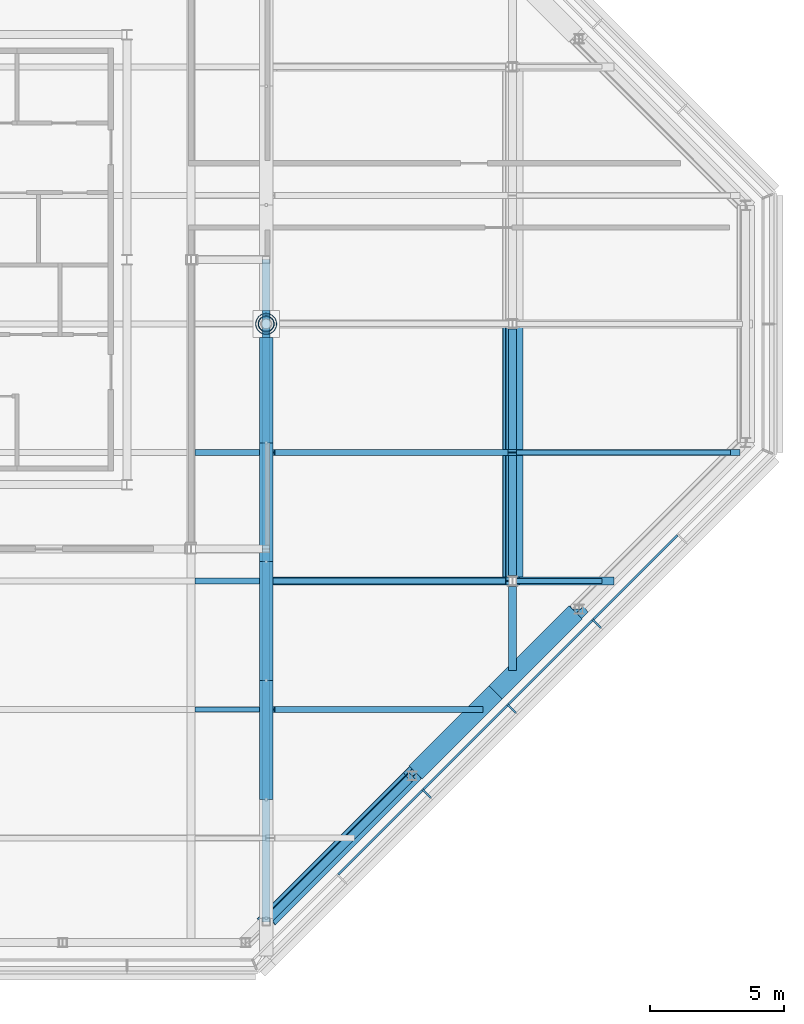
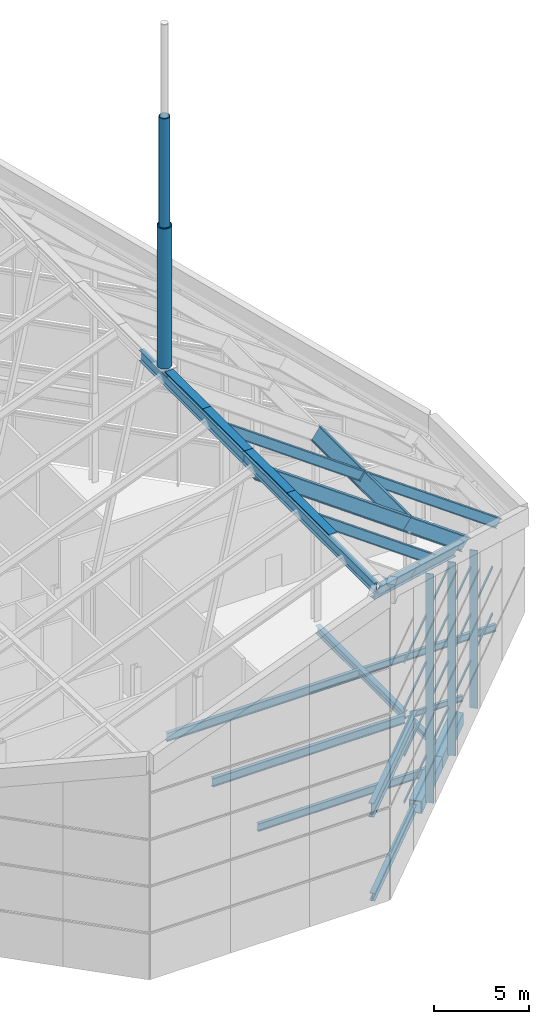
# One storey, part 6 of 21: 23 members, 21 beams, 1 element without a shape of its own.
"""IFC4 building model written with IfcOpenShell, lengths in metres."""

from ifc_helpers import new_model, si_unit, direction, frame, origin, origin_2d, place, context, subcontext, project, spatial, rectangle, hollow_rectangle, hollow_circle, i_section, extrude, material, material_profile, profile_set, type_object, element, aggregate, save


model = new_model("IFC4")

# Units and contexts
model_context = context("Model", 3, precision=1e-05, world=origin(), true_north=direction((0.0, 1.0)))
body_context = subcontext(model_context, "Body", "Model", "MODEL_VIEW")
ifc_project = project(units=[si_unit("LENGTHUNIT", "METRE"), si_unit("AREAUNIT", "SQUARE_METRE"), si_unit("VOLUMEUNIT", "CUBIC_METRE"), si_unit("PLANEANGLEUNIT", "RADIAN"), si_unit("MASSUNIT", "GRAM", prefix="KILO")], contexts=[model_context])

# Site, building, storey
site_placement = place(None, origin())
site = spatial("IfcSite", under=ifc_project, at=site_placement, CompositionType="ELEMENT")
building_placement = place(site_placement, origin())
building = spatial("IfcBuilding", under=site, at=building_placement, Name="Cairn Pilgrim Tower", CompositionType="ELEMENT")
storey_placement = place(building_placement, frame((0.0, 0.0, 295.800048828125)))
storey = spatial("IfcBuildingStorey", under=building, at=storey_placement, Name="L76", CompositionType="ELEMENT", Elevation=295.800048828125)

# Beams
ifc_material_1 = material(Name="Structural steel S355J2", Category="steel")
ifc_material_profile_1 = material_profile(ifc_material_1, hollow_rectangle(XDim=0.699951171875, YDim=0.800048828125, WallThickness=0.0400390625, at=origin_2d()), Name="BOX 700x800x40")
ifc_profile_set_1 = profile_set([ifc_material_profile_1], Name="Structural steel S355J2")
beam_type_1 = type_object("IfcBeamType", Name="BOX 700x800x40 RING GIRDER", PredefinedType="SPANDREL", material=ifc_profile_set_1)
for number, where, z_axis, x_axis, name in (
    (1, (27.575927734375, -16.751220703125, -0.60009765625), (0.707135671578, 0.707077889614, 0.0), (-0.707077889614, 0.707135671578, 0.0), "RG4-SE2-SE3-1"),
    (2, (30.563720703125, -13.763671875, -0.60009765625), (0.707077889614, 0.707135671578, 0.0), (-0.707135671578, 0.707077889614, 0.0), "RG4-SE2-SE3-2"),
):
    element("IfcBeam", number, at=place(storey_placement, frame(where, z_axis=z_axis, x_axis=x_axis)), inside=storey, type_object=beam_type_1, Name=name, PredefinedType="SPANDREL", context=body_context, shape_type="SweptSolid", body=[
        extrude(hollow_rectangle(XDim=0.699951171875, YDim=0.800048828125, WallThickness=0.0400390625, at=origin_2d()), origin(), (0.0, 0.0, 1.0), 4.22509765625),
    ])
ifc_material_profile_2 = material_profile(ifc_material_1, i_section(OverallWidth=0.300048828125, OverallDepth=0.699951171875, WebThickness=0.01708984375, FlangeThickness=0.031982421875, FilletRadius=0.027099609375, at=origin_2d()), Name="HEB 700")
ifc_profile_set_2 = profile_set([ifc_material_profile_2], Name="Structural steel S355J2")
beam_type_2 = type_object("IfcBeamType", Name="CROWN GIRDER HE 700 B", PredefinedType="BEAM", material=ifc_profile_set_2)
beam_1_placement = place(storey_placement, frame((22.0, -22.3271484375, 18.770751953125), z_axis=(0.0, 1.0, 0.0), x_axis=(-1.0, 0.0, 0.0)))
element("IfcBeam", 3, at=beam_1_placement, inside=storey, type_object=beam_type_2, Name="CROWN GIRDER CG-HE700B", PredefinedType="BEAM", context=body_context, shape_type="SweptSolid", body=[
    extrude(i_section(OverallWidth=0.300048828125, OverallDepth=0.699951171875, WebThickness=0.01708984375, FlangeThickness=0.031982421875, FilletRadius=0.027099609375, at=origin_2d()), origin(), (0.0, 0.0, 1.0), 13.92724609375),
])
beam_2_placement = place(storey_placement, frame((22.0, -8.39990234375, 18.770751953125), z_axis=(0.0, 1.0, 0.0), x_axis=(-1.0, 0.0, 0.0)))
element("IfcBeam", 4, at=beam_2_placement, inside=storey, type_object=beam_type_2, Name="CROWN GIRDER CG-HE700B", PredefinedType="BEAM", context=body_context, shape_type="SweptSolid", body=[
    extrude(i_section(OverallWidth=0.300048828125, OverallDepth=0.699951171875, WebThickness=0.01708984375, FlangeThickness=0.031982421875, FilletRadius=0.027099609375, at=origin_2d()), origin(), (0.0, 0.0, 1.0), 10.7998046875),
])
ifc_material_profile_3 = material_profile(ifc_material_1, i_section(OverallWidth=0.219970703125, OverallDepth=0.60009765625, WebThickness=0.011962890625, FlangeThickness=0.01904296875, FilletRadius=0.02392578125, at=origin_2d()), Name="IPE 600")
ifc_profile_set_3 = profile_set([ifc_material_profile_3], Name="Structural steel S355J2")
beam_type_3 = type_object("IfcBeamType", Name="CROWN RAFTER IPE 600", PredefinedType="BEAM", material=ifc_profile_set_3)
beam_3_placement = place(storey_placement, frame((22.14990234375, -14.39990234375, 18.653564453125), z_axis=(0.812275101397, 0.0, -0.583274514831), x_axis=(0.0, 1.0, 0.0)))
element("IfcBeam", 5, at=beam_3_placement, inside=storey, type_object=beam_type_3, Name="CROWN RAFTER CR-IPE600", PredefinedType="BEAM", context=body_context, shape_type="SweptSolid", body=[
    extrude(i_section(OverallWidth=0.219970703125, OverallDepth=0.60009765625, WebThickness=0.011962890625, FlangeThickness=0.01904296875, FilletRadius=0.02392578125, at=origin_2d()), origin(), (0.0, 0.0, 1.0), 9.57470703125),
])
beam_4_placement = place(storey_placement, frame((22.14990234375, -4.800048828125, 18.653564453125), z_axis=(0.812268098249, 0.0, -0.583284267374), x_axis=(0.0, 1.0, 0.0)))
element("IfcBeam", 6, at=beam_4_placement, inside=storey, type_object=beam_type_3, Name="CROWN RAFTER CR-IPE600", PredefinedType="BEAM", context=body_context, shape_type="SweptSolid", body=[
    extrude(i_section(OverallWidth=0.219970703125, OverallDepth=0.60009765625, WebThickness=0.011962890625, FlangeThickness=0.01904296875, FilletRadius=0.02392578125, at=origin_2d()), origin(), (0.0, 0.0, 1.0), 11.1416015625),
])
beam_5_placement = place(storey_placement, frame((31.199951171875, -4.800048828125, 12.15478515625), z_axis=(0.812276287213, 0.0, -0.583272863446), x_axis=(0.0, 1.0, 0.0)))
element("IfcBeam", 7, at=beam_5_placement, inside=storey, type_object=beam_type_3, Name="CROWN RAFTER CR-IPE600", PredefinedType="BEAM", context=body_context, shape_type="SweptSolid", body=[
    extrude(i_section(OverallWidth=0.219970703125, OverallDepth=0.60009765625, WebThickness=0.011962890625, FlangeThickness=0.01904296875, FilletRadius=0.02392578125, at=origin_2d()), origin(), (0.0, 0.0, 1.0), 10.251708984375),
])
ifc_material_profile_4 = material_profile(ifc_material_1, i_section(OverallWidth=0.300048828125, OverallDepth=0.89990234375, WebThickness=0.0185546875, FlangeThickness=0.034912109375, FilletRadius=0.030029296875, at=origin_2d()), Name="HEB 900")
ifc_profile_set_4 = profile_set([ifc_material_profile_4], Name="Structural steel S355J2")
beam_type_4 = type_object("IfcBeamType", Name="CROWN TRANSFER GIRDER HE 900 B", PredefinedType="BEAM", material=ifc_profile_set_4)
beam_6_placement = place(storey_placement, frame((22.0, -22.3271484375, 18.57666015625), z_axis=(0.630478591868, 0.630478591868, -0.45276206819), x_axis=(-0.512119400021, 0.776206638108, 0.367745802259)))
element("IfcBeam", 8, at=beam_6_placement, inside=storey, type_object=beam_type_4, Name="CROWN TRANSFER GIRDER CT-HE900B", PredefinedType="BEAM", context=body_context, shape_type="SweptSolid", body=[
    extrude(i_section(OverallWidth=0.300048828125, OverallDepth=0.89990234375, WebThickness=0.0185546875, FlangeThickness=0.034912109375, FilletRadius=0.030029296875, at=origin_2d()), origin(), (0.0, 0.0, 1.0), 8.646484375),
])
beam_7_placement = place(storey_placement, frame((27.451416015625, -16.875732421875, 14.661865234375), z_axis=(0.630499589175, 0.630474858852, -0.452738026242), x_axis=(-0.512111188637, 0.776209670221, 0.367750837291)))
element("IfcBeam", 9, at=beam_7_placement, inside=storey, type_object=beam_type_4, Name="CROWN TRANSFER GIRDER CT-HE900B", PredefinedType="BEAM", context=body_context, shape_type="SweptSolid", body=[
    extrude(i_section(OverallWidth=0.300048828125, OverallDepth=0.89990234375, WebThickness=0.0185546875, FlangeThickness=0.034912109375, FilletRadius=0.030029296875, at=origin_2d()), origin(), (0.0, 0.0, 1.0), 9.8720703125),
])
beam_8_placement = place(storey_placement, frame((31.199951171875, -9.60009765625, 11.97021484375), z_axis=(0.0, 1.0, 0.0), x_axis=(-0.812270883777, 0.0, 0.583280388293)))
element("IfcBeam", 10, at=beam_8_placement, inside=storey, type_object=beam_type_4, Name="CROWN TRANSFER GIRDER CT-HE900B", PredefinedType="BEAM", context=body_context, shape_type="SweptSolid", body=[
    extrude(i_section(OverallWidth=0.300048828125, OverallDepth=0.89990234375, WebThickness=0.0185546875, FlangeThickness=0.034912109375, FilletRadius=0.030029296875, at=origin_2d()), origin(), (0.0, 0.0, 1.0), 9.60009765625),
])
beam_9_placement = place(storey_placement, frame((22.14990234375, -9.60009765625, 18.468994140625), z_axis=(0.812268098249, 0.0, -0.583284267374), x_axis=(0.0, 1.0, 0.0)))
element("IfcBeam", 11, at=beam_9_placement, inside=storey, type_object=beam_type_4, Name="CROWN TRANSFER GIRDER CT-HE900B", PredefinedType="BEAM", context=body_context, shape_type="SweptSolid", body=[
    extrude(i_section(OverallWidth=0.300048828125, OverallDepth=0.89990234375, WebThickness=0.0185546875, FlangeThickness=0.034912109375, FilletRadius=0.030029296875, at=origin_2d()), origin(), (0.0, 0.0, 1.0), 11.1416015625),
])
beam_10_placement = place(storey_placement, frame((31.199951171875, -9.60009765625, 11.97021484375), z_axis=(0.812268412258, 0.0, -0.583283830093), x_axis=(0.0, 1.0, 0.0)))
element("IfcBeam", 12, at=beam_10_placement, inside=storey, type_object=beam_type_4, Name="CROWN TRANSFER GIRDER CT-HE900B", PredefinedType="BEAM", context=body_context, shape_type="SweptSolid", body=[
    extrude(i_section(OverallWidth=0.300048828125, OverallDepth=0.89990234375, WebThickness=0.0185546875, FlangeThickness=0.034912109375, FilletRadius=0.030029296875, at=origin_2d()), origin(), (0.0, 0.0, 1.0), 4.342529296875),
])
ifc_material_profile_5 = material_profile(ifc_material_1, i_section(OverallWidth=0.300048828125, OverallDepth=0.89990234375, WebThickness=0.0185546875, FlangeThickness=0.034912109375, FilletRadius=0.030029296875, at=origin_2d()), Name="HEB 900")
ifc_profile_set_5 = profile_set([ifc_material_profile_5], Name="Structural steel S355J2")
beam_type_5 = type_object("IfcBeamType", Name="CROWN TRANSFER GIRDER HE 900 B CTG1", PredefinedType="BEAM", material=ifc_profile_set_5)
beam_11_placement = place(storey_placement, frame((21.227294921875, -23.10009765625, 5.25), z_axis=(0.707092913221, 0.707120648881, 0.0), x_axis=(-0.707120648881, 0.707092913221, 0.0)))
element("IfcBeam", 13, at=beam_11_placement, inside=storey, type_object=beam_type_5, Name="CROWN TRANSFER GIRDER CTG1", PredefinedType="BEAM", context=body_context, shape_type="SweptSolid", body=[
    extrude(i_section(OverallWidth=0.300048828125, OverallDepth=0.89990234375, WebThickness=0.0185546875, FlangeThickness=0.034912109375, FilletRadius=0.030029296875, at=origin_2d()), origin(), (0.0, 0.0, 1.0), 8.802490234375),
])

# Curtain wall, members
ifc_material_2 = material(Name="Aluminium alloy 6063-T6 bronze anodised with Bronze tinted laminated low-E glass 8+16+8.8", Category="aluminium")
curtain_wall_type = type_object("IfcCurtainWallType", Name="CROWN LOUVRE CURTAIN WALL", PredefinedType="NOTDEFINED", material=ifc_material_2)
curtain_wall_placement = place(storey_placement, origin())
curtain_wall = element("IfcCurtainWall", 14, at=curtain_wall_placement, inside=storey, type_object=curtain_wall_type, Name="Crown Louvre Curtain Wall SE", PredefinedType="NOTDEFINED")
ifc_material_3 = material(Name="Aluminium alloy 6063-T6 bronze anodised", Category="aluminium")
ifc_material_profile_6 = material_profile(ifc_material_3, rectangle(XDim=0.449951171875, YDim=0.06005859375, at=origin_2d()), Name="FIN MULLION 60x450 BRONZE")
ifc_profile_set_6 = profile_set([ifc_material_profile_6], Name="Aluminium alloy 6063-T6 bronze anodised")
member_type_1 = type_object("IfcMemberType", Name="FIN MULLION 60x450 BRONZE", PredefinedType="MULLION", material=ifc_profile_set_6)
member_1_placement = place(storey_placement, frame((27.985595703125, -17.53662109375, 0.0), z_axis=(0.0, 0.0, 1.0), x_axis=(0.707106781187, -0.707106781187, 0.0)))
member_1 = element("IfcMember", 15, at=member_1_placement, type_object=member_type_1, Name="Fin mullion SE3", PredefinedType="MULLION", context=body_context, shape_type="SweptSolid", body=[
    extrude(rectangle(XDim=0.449951171875, YDim=0.06005859375, at=origin_2d()), origin(), (0.0, 0.0, 1.0), 14.703125),
])
member_2_placement = place(storey_placement, frame((31.1611328125, -14.361083984375, 0.0), z_axis=(0.0, 0.0, 1.0), x_axis=(0.707106781187, -0.707106781187, 0.0)))
member_2 = element("IfcMember", 16, at=member_2_placement, type_object=member_type_1, Name="Fin mullion SE4", PredefinedType="MULLION", context=body_context, shape_type="SweptSolid", body=[
    extrude(rectangle(XDim=0.449951171875, YDim=0.06005859375, at=origin_2d()), origin(), (0.0, 0.0, 1.0), 12.422607421875),
])
member_3_placement = place(storey_placement, frame((34.336669921875, -11.185546875, 0.0), z_axis=(0.0, 0.0, 1.0), x_axis=(0.707106781187, -0.707106781187, 0.0)))
member_3 = element("IfcMember", 17, at=member_3_placement, type_object=member_type_1, Name="Fin mullion SE5", PredefinedType="MULLION", context=body_context, shape_type="SweptSolid", body=[
    extrude(rectangle(XDim=0.449951171875, YDim=0.06005859375, at=origin_2d()), origin(), (0.0, 0.0, 1.0), 10.142333984375),
])

# Beams
ifc_material_profile_7 = material_profile(ifc_material_1, i_section(OverallWidth=0.300048828125, OverallDepth=0.39990234375, WebThickness=0.013427734375, FlangeThickness=0.02392578125, FilletRadius=0.027099609375, at=origin_2d()), Name="HEB 400")
ifc_profile_set_7 = profile_set([ifc_material_profile_7], Name="Structural steel S355J2")
beam_type_6 = type_object("IfcBeamType", Name="HEB 400 GIRDER", PredefinedType="BEAM", material=ifc_profile_set_7)
beam_12_placement = place(storey_placement, frame((31.199951171875, -12.945068359375, -0.400146484375), z_axis=(0.0, 1.0, 0.0), x_axis=(-1.0, 0.0, 0.0)))
element("IfcBeam", 18, at=beam_12_placement, inside=storey, type_object=beam_type_6, Name="PG5-1", PredefinedType="BEAM", context=body_context, shape_type="SweptSolid", body=[
    extrude(i_section(OverallWidth=0.300048828125, OverallDepth=0.39990234375, WebThickness=0.013427734375, FlangeThickness=0.02392578125, FilletRadius=0.027099609375, at=origin_2d()), origin(), (0.0, 0.0, 1.0), 3.14794921875),
])
ifc_material_profile_8 = material_profile(ifc_material_1, i_section(OverallWidth=0.300048828125, OverallDepth=0.5, WebThickness=0.014404296875, FlangeThickness=0.028076171875, FilletRadius=0.027099609375, at=origin_2d()), Name="HEB 500")
ifc_profile_set_8 = profile_set([ifc_material_profile_8], Name="Structural steel S355J2")
beam_type_7 = type_object("IfcBeamType", Name="HEB 500 GIRDER", PredefinedType="BEAM", material=ifc_profile_set_8)
beam_13_placement = place(storey_placement, frame((31.199951171875, -9.403076171875, -0.449951171875), z_axis=(0.0, 1.0, 0.0), x_axis=(-1.0, 0.0, 0.0)))
element("IfcBeam", 19, at=beam_13_placement, inside=storey, type_object=beam_type_7, Name="PG5-2", PredefinedType="BEAM", context=body_context, shape_type="SweptSolid", body=[
    extrude(i_section(OverallWidth=0.300048828125, OverallDepth=0.5, WebThickness=0.014404296875, FlangeThickness=0.028076171875, FilletRadius=0.027099609375, at=origin_2d()), origin(), (0.0, 0.0, 1.0), 9.2060546875),
])
ifc_material_profile_9 = material_profile(ifc_material_1, i_section(OverallWidth=0.300048828125, OverallDepth=0.5, WebThickness=0.014404296875, FlangeThickness=0.028076171875, FilletRadius=0.027099609375, at=origin_2d()), Name="HEB 500")
ifc_profile_set_9 = profile_set([ifc_material_profile_9], Name="Structural steel S355J2")
beam_type_8 = type_object("IfcBeamType", Name="HEB 500 RING GIRDER", PredefinedType="SPANDREL", material=ifc_profile_set_9)
beam_14_placement = place(storey_placement, frame((21.3515625, -22.9755859375, -0.449951171875), z_axis=(0.707121226235, 0.707092335843, 0.0), x_axis=(-0.707092335843, 0.707121226235, 0.0)))
element("IfcBeam", 20, at=beam_14_placement, inside=storey, type_object=beam_type_8, Name="RG4-SE1-SE2", PredefinedType="SPANDREL", context=body_context, shape_type="SweptSolid", body=[
    extrude(i_section(OverallWidth=0.300048828125, OverallDepth=0.5, WebThickness=0.014404296875, FlangeThickness=0.028076171875, FilletRadius=0.027099609375, at=origin_2d()), origin(), (0.0, 0.0, 1.0), 8.45068359375),
])
ifc_material_profile_10 = material_profile(ifc_material_1, i_section(OverallWidth=0.169921875, OverallDepth=0.360107421875, WebThickness=0.008056640625, FlangeThickness=0.0126953125, FilletRadius=0.01806640625, at=origin_2d()), Name="IPE 360")
ifc_profile_set_10 = profile_set([ifc_material_profile_10], Name="Structural steel S355J2")
beam_type_9 = type_object("IfcBeamType", Name="IPE 360 SECONDARY BEAM", PredefinedType="JOIST", material=ifc_profile_set_10)
beam_15_placement = place(storey_placement, frame((31.35009765625, -9.60009765625, -0.380126953125), z_axis=(1.0, 0.0, 0.0), x_axis=(0.0, 1.0, 0.0)))
element("IfcBeam", 21, at=beam_15_placement, inside=storey, type_object=beam_type_9, Name="SB3-2", PredefinedType="JOIST", context=body_context, shape_type="SweptSolid", body=[
    extrude(i_section(OverallWidth=0.169921875, OverallDepth=0.360107421875, WebThickness=0.008056640625, FlangeThickness=0.0126953125, FilletRadius=0.01806640625, at=origin_2d()), origin(), (0.0, 0.0, 1.0), 3.195068359375),
])
ifc_material_profile_11 = material_profile(ifc_material_1, i_section(OverallWidth=0.18994140625, OverallDepth=0.449951171875, WebThickness=0.009521484375, FlangeThickness=0.0146484375, FilletRadius=0.02099609375, at=origin_2d()), Name="IPE 450")
ifc_profile_set_11 = profile_set([ifc_material_profile_11], Name="Structural steel S355J2")
beam_type_10 = type_object("IfcBeamType", Name="IPE 450 SECONDARY BEAM", PredefinedType="JOIST", material=ifc_profile_set_11)
beam_16_placement = place(storey_placement, frame((31.35009765625, -4.800048828125, -0.425048828125), z_axis=(1.0, 0.0, 0.0), x_axis=(0.0, 1.0, 0.0)))
element("IfcBeam", 22, at=beam_16_placement, inside=storey, type_object=beam_type_10, Name="SB4-3", PredefinedType="JOIST", context=body_context, shape_type="SweptSolid", body=[
    extrude(i_section(OverallWidth=0.18994140625, OverallDepth=0.449951171875, WebThickness=0.009521484375, FlangeThickness=0.0146484375, FilletRadius=0.02099609375, at=origin_2d()), origin(), (0.0, 0.0, 1.0), 7.9951171875),
])
ifc_material_profile_12 = material_profile(ifc_material_1, i_section(OverallWidth=0.199951171875, OverallDepth=0.5, WebThickness=0.01025390625, FlangeThickness=0.01611328125, FilletRadius=0.02099609375, at=origin_2d()), Name="IPE 500")
ifc_profile_set_12 = profile_set([ifc_material_profile_12], Name="Structural steel S355J2")
beam_type_11 = type_object("IfcBeamType", Name="IPE 500 SECONDARY BEAM", PredefinedType="JOIST", material=ifc_profile_set_12)
beam_17_placement = place(storey_placement, frame((19.35009765625, -14.39990234375, -0.449951171875), z_axis=(1.0, 0.0, 0.0), x_axis=(0.0, 1.0, 0.0)))
element("IfcBeam", 23, at=beam_17_placement, inside=storey, type_object=beam_type_11, Name="SB2-3", PredefinedType="JOIST", context=body_context, shape_type="SweptSolid", body=[
    extrude(i_section(OverallWidth=0.199951171875, OverallDepth=0.5, WebThickness=0.01025390625, FlangeThickness=0.01611328125, FilletRadius=0.02099609375, at=origin_2d()), origin(), (0.0, 0.0, 1.0), 10.39501953125),
])
ifc_material_profile_13 = material_profile(ifc_material_1, i_section(OverallWidth=0.2099609375, OverallDepth=0.550048828125, WebThickness=0.010986328125, FlangeThickness=0.01708984375, FilletRadius=0.02392578125, at=origin_2d()), Name="IPE 550")
ifc_profile_set_13 = profile_set([ifc_material_profile_13], Name="Structural steel S355J2")
beam_type_12 = type_object("IfcBeamType", Name="IPE 550 SECONDARY BEAM", PredefinedType="JOIST", material=ifc_profile_set_13)
for number, where, z_axis, x_axis, name in (
    (24, (19.35009765625, -9.60009765625, -0.47509765625), (1.0, 0.0, 0.0), (0.0, 1.0, 0.0), "SB3-1"),
    (25, (19.35009765625, -4.800048828125, -0.47509765625), (1.0, 0.0, 0.0), (0.0, 1.0, 0.0), "SB4-2"),
):
    element("IfcBeam", number, at=place(storey_placement, frame(where, z_axis=z_axis, x_axis=x_axis)), inside=storey, type_object=beam_type_12, Name=name, PredefinedType="JOIST", context=body_context, shape_type="SweptSolid", body=[
        extrude(i_section(OverallWidth=0.2099609375, OverallDepth=0.550048828125, WebThickness=0.010986328125, FlangeThickness=0.01708984375, FilletRadius=0.02392578125, at=origin_2d()), origin(), (0.0, 0.0, 1.0), 11.699951171875),
    ])

# Members
ifc_material_profile_14 = material_profile(ifc_material_3, rectangle(XDim=0.5, YDim=0.080078125, at=origin_2d()), Name="RIDGE CAP 500x80 BRONZE")
ifc_profile_set_14 = profile_set([ifc_material_profile_14], Name="Aluminium alloy 6063-T6 bronze anodised")
member_type_2 = type_object("IfcMemberType", Name="RIDGE CAP 500x80 BRONZE", PredefinedType="USERDEFINED", material=ifc_profile_set_14)
for number, where, z_axis, x_axis, name in (
    (26, (22.0, -17.7578125, 19.48046875), (0.0, 1.0, 0.0), (-1.0, 0.0, 0.0), "Ridge cap 3"),
    (27, (22.0, -13.318359375, 19.48046875), (0.0, 1.0, 0.0), (-1.0, 0.0, 0.0), "Ridge cap 4"),
    (28, (22.0, -8.87890625, 19.48046875), (0.0, 1.0, 0.0), (-1.0, 0.0, 0.0), "Ridge cap 5"),
):
    element("IfcMember", number, at=place(storey_placement, frame(where, z_axis=z_axis, x_axis=x_axis)), inside=storey, type_object=member_type_2, Name=name, ObjectType="RIDGE CAP", PredefinedType="USERDEFINED", context=body_context, shape_type="SweptSolid", body=[
        extrude(rectangle(XDim=0.5, YDim=0.080078125, at=origin_2d()), origin(), (0.0, 0.0, 1.0), 4.439453125),
    ])
member_4_placement = place(storey_placement, frame((22.0, -4.439453125, 19.48046875), z_axis=(0.0, 1.0, 0.0), x_axis=(-1.0, 0.0, 0.0)))
element("IfcMember", 29, at=member_4_placement, inside=storey, type_object=member_type_2, Name="Ridge cap 6", ObjectType="RIDGE CAP", PredefinedType="USERDEFINED", context=body_context, shape_type="SweptSolid", body=[
    extrude(rectangle(XDim=0.5, YDim=0.080078125, at=origin_2d()), origin(), (0.0, 0.0, 1.0), 3.939453125),
])
ifc_material_profile_15 = material_profile(ifc_material_1, rectangle(XDim=0.280029296875, YDim=1.0, at=origin_2d()), Name="SPIRE BASE 280x1000 STEEL S355J2")
ifc_profile_set_15 = profile_set([ifc_material_profile_15], Name="Structural steel S355J2")
member_type_3 = type_object("IfcMemberType", Name="SPIRE BASE 280x1000 STEEL S355J2", PredefinedType="USERDEFINED", material=ifc_profile_set_15)
member_5_placement = place(storey_placement, frame((22.0, 0.0, 19.12060546875), z_axis=(0.0, 0.0, 1.0), x_axis=(1.0, 0.0, 0.0)))
element("IfcMember", 30, at=member_5_placement, inside=storey, type_object=member_type_3, Name="Spire base", ObjectType="SPIRE BASE", PredefinedType="USERDEFINED", context=body_context, shape_type="SweptSolid", body=[
    extrude(rectangle(XDim=0.280029296875, YDim=1.0, at=origin_2d()), origin(), (0.0, 0.0, 1.0), 0.39990234375),
])
ifc_material_profile_16 = material_profile(ifc_material_1, hollow_circle(Radius=0.300048828125, WallThickness=0.02001953125, at=origin_2d()), Name="SPIRE MAST CHS 600x20 STEEL S355J2")
ifc_profile_set_16 = profile_set([ifc_material_profile_16], Name="Structural steel S355J2")
member_type_4 = type_object("IfcMemberType", Name="SPIRE MAST CHS 600x20 STEEL S355J2", PredefinedType="USERDEFINED", material=ifc_profile_set_16)
member_6_placement = place(storey_placement, frame((22.0, 0.0, 28.5703125), z_axis=(0.0, 0.0, 1.0), x_axis=(1.0, 0.0, 0.0)))
element("IfcMember", 31, at=member_6_placement, inside=storey, type_object=member_type_4, Name="SPIRE", ObjectType="SPIRE", PredefinedType="USERDEFINED", context=body_context, shape_type="SweptSolid", body=[
    extrude(hollow_circle(Radius=0.300048828125, WallThickness=0.02001953125, at=origin_2d()), origin(), (0.0, 0.0, 1.0), 7.0),
])
ifc_material_profile_17 = material_profile(ifc_material_1, hollow_circle(Radius=0.39990234375, WallThickness=0.02490234375, at=origin_2d()), Name="SPIRE MAST CHS 800x25 STEEL S355J2")
ifc_profile_set_17 = profile_set([ifc_material_profile_17], Name="Structural steel S355J2")
member_type_5 = type_object("IfcMemberType", Name="SPIRE MAST CHS 800x25 STEEL S355J2", PredefinedType="USERDEFINED", material=ifc_profile_set_17)
member_7_placement = place(storey_placement, frame((22.0, 0.0, 19.5703125), z_axis=(0.0, 0.0, 1.0), x_axis=(1.0, 0.0, 0.0)))
element("IfcMember", 32, at=member_7_placement, inside=storey, type_object=member_type_5, Name="SPIRE", ObjectType="SPIRE", PredefinedType="USERDEFINED", context=body_context, shape_type="SweptSolid", body=[
    extrude(hollow_circle(Radius=0.39990234375, WallThickness=0.02490234375, at=origin_2d()), origin(), (0.0, 0.0, 1.0), 9.0),
])

# Member
ifc_material_profile_18 = material_profile(ifc_material_3, rectangle(XDim=0.080078125, YDim=0.14990234375, at=origin_2d()), Name="TRANSOM 80x150 BRONZE")
ifc_profile_set_18 = profile_set([ifc_material_profile_18], Name="Aluminium alloy 6063-T6 bronze anodised")
member_type_6 = type_object("IfcMemberType", Name="TRANSOM 80x150 BRONZE", PredefinedType="USERDEFINED", material=ifc_profile_set_18)
member_8_placement = place(storey_placement, frame((24.693359375, -20.55322265625, 3.0), z_axis=(0.707079231393, 0.707134329907, 0.0), x_axis=(-0.707134329907, 0.707079231393, 0.0)))
member_8 = element("IfcMember", 33, at=member_8_placement, type_object=member_type_6, Name="Transom SE2", ObjectType="TRANSOM", PredefinedType="USERDEFINED", context=body_context, shape_type="SweptSolid", body=[
    extrude(rectangle(XDim=0.080078125, YDim=0.14990234375, at=origin_2d()), origin(), (0.0, 0.0, 1.0), 4.430908203125),
])

member_9_placement = place(storey_placement, frame((24.693359375, -20.55322265625, 6.0), z_axis=(0.707079231393, 0.707134329907, 0.0), x_axis=(-0.707134329907, 0.707079231393, 0.0)))
member_9 = element("IfcMember", 34, at=member_9_placement, type_object=member_type_6, Name="Transom SE2", ObjectType="TRANSOM", PredefinedType="USERDEFINED", context=body_context, shape_type="SweptSolid", body=[
    extrude(rectangle(XDim=0.080078125, YDim=0.14990234375, at=origin_2d()), origin(), (0.0, 0.0, 1.0), 4.430908203125),
])

member_10_placement = place(storey_placement, frame((24.693359375, -20.55322265625, 9.0), z_axis=(0.707079231393, 0.707134329907, 0.0), x_axis=(-0.707134329907, 0.707079231393, 0.0)))
member_10 = element("IfcMember", 35, at=member_10_placement, type_object=member_type_6, Name="Transom SE2", ObjectType="TRANSOM", PredefinedType="USERDEFINED", context=body_context, shape_type="SweptSolid", body=[
    extrude(rectangle(XDim=0.080078125, YDim=0.14990234375, at=origin_2d()), origin(), (0.0, 0.0, 1.0), 4.430908203125),
])

member_11_placement = place(storey_placement, frame((24.693359375, -20.55322265625, 12.0), z_axis=(0.707079231393, 0.707134329907, 0.0), x_axis=(-0.707134329907, 0.707079231393, 0.0)))
member_11 = element("IfcMember", 36, at=member_11_placement, type_object=member_type_6, Name="Transom SE2", ObjectType="TRANSOM", PredefinedType="USERDEFINED", context=body_context, shape_type="SweptSolid", body=[
    extrude(rectangle(XDim=0.080078125, YDim=0.14990234375, at=origin_2d()), origin(), (0.0, 0.0, 1.0), 4.430908203125),
])

member_12_placement = place(storey_placement, frame((27.868896484375, -17.377685546875, 3.0), z_axis=(0.707079231393, 0.707134329907, 0.0), x_axis=(-0.707134329907, 0.707079231393, 0.0)))
member_12 = element("IfcMember", 37, at=member_12_placement, type_object=member_type_6, Name="Transom SE3", ObjectType="TRANSOM", PredefinedType="USERDEFINED", context=body_context, shape_type="SweptSolid", body=[
    extrude(rectangle(XDim=0.080078125, YDim=0.14990234375, at=origin_2d()), origin(), (0.0, 0.0, 1.0), 4.430908203125),
])

member_13_placement = place(storey_placement, frame((27.868896484375, -17.377685546875, 6.0), z_axis=(0.707079231393, 0.707134329907, 0.0), x_axis=(-0.707134329907, 0.707079231393, 0.0)))
member_13 = element("IfcMember", 38, at=member_13_placement, type_object=member_type_6, Name="Transom SE3", ObjectType="TRANSOM", PredefinedType="USERDEFINED", context=body_context, shape_type="SweptSolid", body=[
    extrude(rectangle(XDim=0.080078125, YDim=0.14990234375, at=origin_2d()), origin(), (0.0, 0.0, 1.0), 4.430908203125),
])

member_14_placement = place(storey_placement, frame((27.868896484375, -17.377685546875, 9.0), z_axis=(0.707079231393, 0.707134329907, 0.0), x_axis=(-0.707134329907, 0.707079231393, 0.0)))
member_14 = element("IfcMember", 39, at=member_14_placement, type_object=member_type_6, Name="Transom SE3", ObjectType="TRANSOM", PredefinedType="USERDEFINED", context=body_context, shape_type="SweptSolid", body=[
    extrude(rectangle(XDim=0.080078125, YDim=0.14990234375, at=origin_2d()), origin(), (0.0, 0.0, 1.0), 4.430908203125),
])

member_15_placement = place(storey_placement, frame((27.868896484375, -17.377685546875, 12.0), z_axis=(0.707079231393, 0.707134329907, 0.0), x_axis=(-0.707134329907, 0.707079231393, 0.0)))
member_15 = element("IfcMember", 40, at=member_15_placement, type_object=member_type_6, Name="Transom SE3", ObjectType="TRANSOM", PredefinedType="USERDEFINED", context=body_context, shape_type="SweptSolid", body=[
    extrude(rectangle(XDim=0.080078125, YDim=0.14990234375, at=origin_2d()), origin(), (0.0, 0.0, 1.0), 4.430908203125),
])

member_16_placement = place(storey_placement, frame((31.04443359375, -14.201904296875, 3.0), z_axis=(0.707106781187, 0.707106781187, 0.0), x_axis=(-0.707106781187, 0.707106781187, 0.0)))
member_16 = element("IfcMember", 41, at=member_16_placement, type_object=member_type_6, Name="Transom SE4", ObjectType="TRANSOM", PredefinedType="USERDEFINED", context=body_context, shape_type="SweptSolid", body=[
    extrude(rectangle(XDim=0.080078125, YDim=0.14990234375, at=origin_2d()), origin(), (0.0, 0.0, 1.0), 4.430908203125),
])

member_17_placement = place(storey_placement, frame((31.04443359375, -14.201904296875, 6.0), z_axis=(0.707106781187, 0.707106781187, 0.0), x_axis=(-0.707106781187, 0.707106781187, 0.0)))
member_17 = element("IfcMember", 42, at=member_17_placement, type_object=member_type_6, Name="Transom SE4", ObjectType="TRANSOM", PredefinedType="USERDEFINED", context=body_context, shape_type="SweptSolid", body=[
    extrude(rectangle(XDim=0.080078125, YDim=0.14990234375, at=origin_2d()), origin(), (0.0, 0.0, 1.0), 4.430908203125),
])

member_18_placement = place(storey_placement, frame((31.04443359375, -14.201904296875, 9.0), z_axis=(0.707106781187, 0.707106781187, 0.0), x_axis=(-0.707106781187, 0.707106781187, 0.0)))
member_18 = element("IfcMember", 43, at=member_18_placement, type_object=member_type_6, Name="Transom SE4", ObjectType="TRANSOM", PredefinedType="USERDEFINED", context=body_context, shape_type="SweptSolid", body=[
    extrude(rectangle(XDim=0.080078125, YDim=0.14990234375, at=origin_2d()), origin(), (0.0, 0.0, 1.0), 4.430908203125),
])

member_19_placement = place(storey_placement, frame((34.219970703125, -11.0263671875, 3.0), z_axis=(0.707134329907, 0.707079231393, 0.0), x_axis=(-0.707079231393, 0.707134329907, 0.0)))
member_19 = element("IfcMember", 44, at=member_19_placement, type_object=member_type_6, Name="Transom SE5", ObjectType="TRANSOM", PredefinedType="USERDEFINED", context=body_context, shape_type="SweptSolid", body=[
    extrude(rectangle(XDim=0.080078125, YDim=0.14990234375, at=origin_2d()), origin(), (0.0, 0.0, 1.0), 4.430908203125),
])

member_20_placement = place(storey_placement, frame((34.219970703125, -11.0263671875, 6.0), z_axis=(0.707134329907, 0.707079231393, 0.0), x_axis=(-0.707079231393, 0.707134329907, 0.0)))
member_20 = element("IfcMember", 45, at=member_20_placement, type_object=member_type_6, Name="Transom SE5", ObjectType="TRANSOM", PredefinedType="USERDEFINED", context=body_context, shape_type="SweptSolid", body=[
    extrude(rectangle(XDim=0.080078125, YDim=0.14990234375, at=origin_2d()), origin(), (0.0, 0.0, 1.0), 4.430908203125),
])

aggregate(curtain_wall, [member_1, member_2, member_3, member_8, member_9, member_10, member_11, member_12, member_13, member_14, member_15, member_16, member_17, member_18, member_19, member_20])

save(model, "model.ifc")
